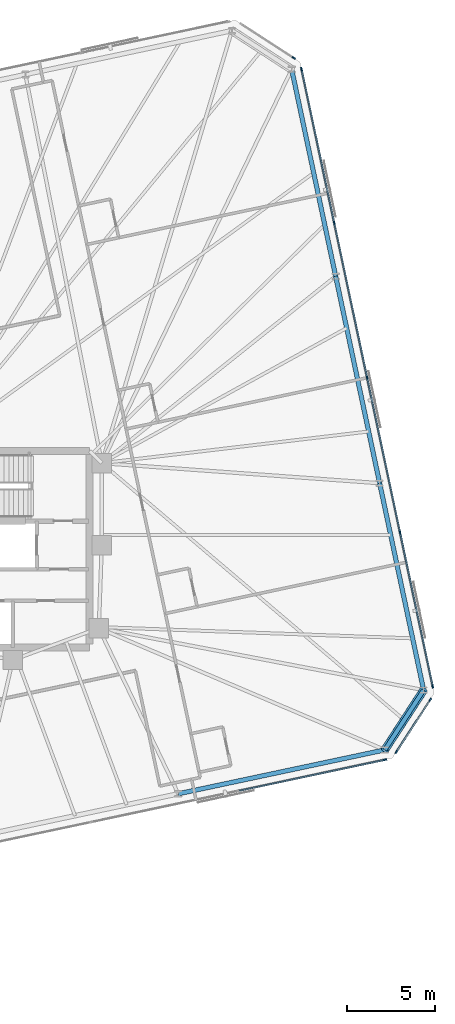
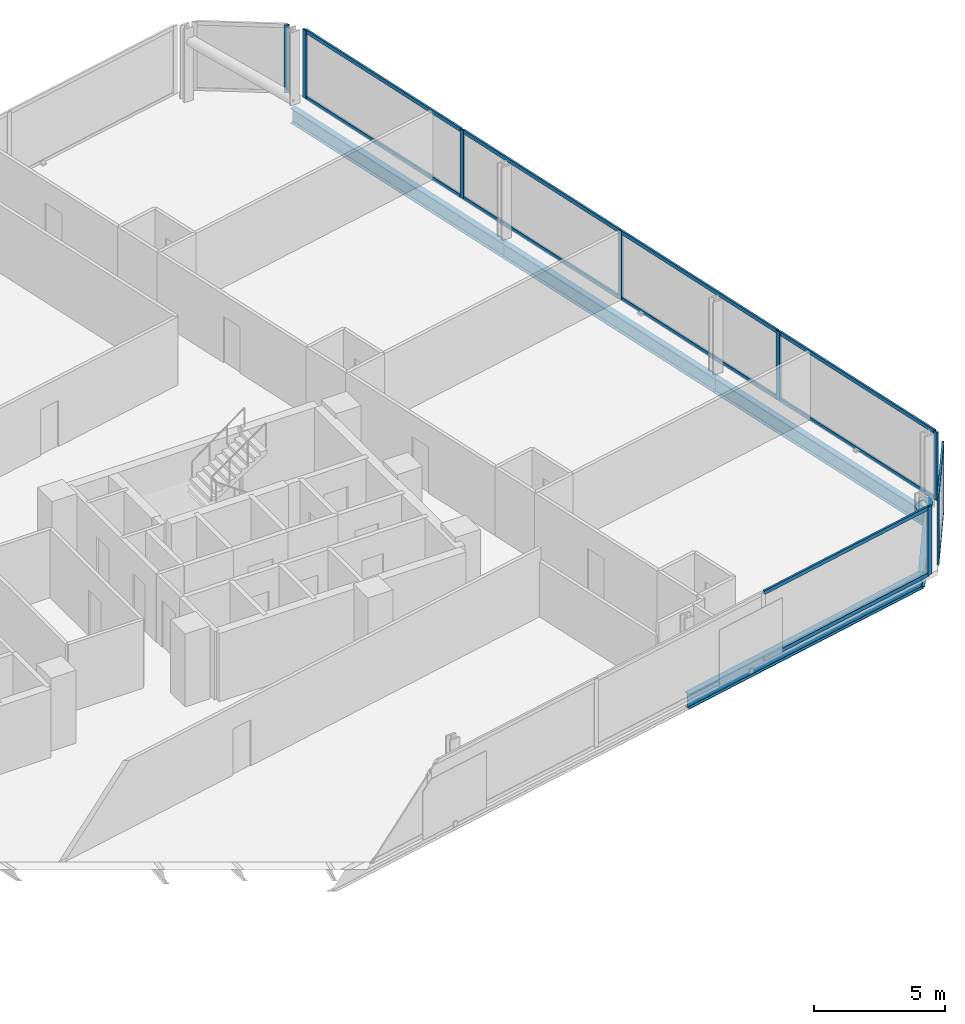
# One storey, part 12 of 19: 22 members, 5 beams, 4 elements without a shape of their own.
"""IFC4 building model written with IfcOpenShell, lengths in metres."""

from ifc_helpers import new_model, si_unit, direction, frame, origin, origin_2d, place, context, subcontext, project, spatial, rectangle, hollow_circle, i_section, extrude, material, material_profile, profile_set, type_object, element, aggregate, save


model = new_model("IFC4")

# Units and contexts
model_context = context("Model", 3, precision=1e-05, world=origin(), true_north=direction((0.0, 1.0)))
body_context = subcontext(model_context, "Body", "Model", "MODEL_VIEW")
ifc_project = project(units=[si_unit("LENGTHUNIT", "METRE"), si_unit("AREAUNIT", "SQUARE_METRE"), si_unit("VOLUMEUNIT", "CUBIC_METRE"), si_unit("PLANEANGLEUNIT", "RADIAN"), si_unit("MASSUNIT", "GRAM", prefix="KILO")], contexts=[model_context])

# Site, building, storey
site_placement = place(None, origin())
site = spatial("IfcSite", under=ifc_project, at=site_placement, CompositionType="ELEMENT")
building_placement = place(site_placement, origin())
building = spatial("IfcBuilding", under=site, at=building_placement, Name="Menara Jurai Vektor", CompositionType="ELEMENT")
storey_placement = place(building_placement, frame((0.0, 0.0, 192.199951171875)))
storey = spatial("IfcBuildingStorey", under=building, at=storey_placement, Name="L50", CompositionType="ELEMENT", Elevation=192.199951171875)

# Curtain wall, member
ifc_material_1 = material(Name="Anodised Pale Aluminium & Low-E Double Glazing", Category="aluminium")
curtain_wall_type = type_object("IfcCurtainWallType", Name="CW-BLK3", PredefinedType="NOTDEFINED", material=ifc_material_1)
curtain_wall_1_placement = place(storey_placement, origin())
curtain_wall_1 = element("IfcCurtainWall", 1, at=curtain_wall_1_placement, inside=storey, type_object=curtain_wall_type, Name="Unitised Curtain Wall L50 F01", PredefinedType="NOTDEFINED")
ifc_material_2 = material(Name="Anodised Pale Aluminium Mullion", Category="aluminium")
ifc_material_profile_1 = material_profile(ifc_material_2, rectangle(XDim=0.0849609375, YDim=0.205078125, at=origin_2d()), Name="ALU MUL 85x205")
ifc_profile_set_1 = profile_set([ifc_material_profile_1], Name="Anodised Pale Aluminium Mullion")
member_type_1 = type_object("IfcMemberType", Name="CW-BLK3-MUL", PredefinedType="MULLION", material=ifc_profile_set_1)
member_1_placement = place(storey_placement, frame((31.392578125, -11.99755859375, 0.0), z_axis=(0.0, 0.0, 1.0), x_axis=(-0.207911344156, 0.978147674419, 0.0)))
member_1 = element("IfcMember", 2, at=member_1_placement, type_object=member_type_1, Name="CW-03 mullion 8", PredefinedType="MULLION", context=body_context, shape_type="SweptSolid", body=[
    extrude(rectangle(XDim=0.0849609375, YDim=0.205078125, at=origin_2d()), origin(), (0.0, 0.0, 1.0), 3.175048828125),
])

# Curtain wall, members
curtain_wall_2_placement = place(storey_placement, origin())
curtain_wall_2 = element("IfcCurtainWall", 3, at=curtain_wall_2_placement, inside=storey, type_object=curtain_wall_type, Name="Unitised Curtain Wall L50 F02", PredefinedType="NOTDEFINED")
member_2_placement = place(storey_placement, frame((32.035888671875, -11.555419921875, 0.0), z_axis=(0.0, 0.0, 1.0), x_axis=(-0.838684361415, 0.544617794346, 0.0)))
member_2 = element("IfcMember", 4, at=member_2_placement, type_object=member_type_1, Name="CW-03 mullion 1", PredefinedType="MULLION", context=body_context, shape_type="SweptSolid", body=[
    extrude(rectangle(XDim=0.0849609375, YDim=0.205078125, at=origin_2d()), origin(), (0.0, 0.0, 1.0), 3.175048828125),
])
member_3_placement = place(storey_placement, frame((33.96337890625, -8.587158203125, 0.0), z_axis=(0.0, 0.0, 1.0), x_axis=(-0.838684361415, 0.544617794346, 0.0)))
member_3 = element("IfcMember", 5, at=member_3_placement, type_object=member_type_1, Name="CW-03 mullion 2", PredefinedType="MULLION", context=body_context, shape_type="SweptSolid", body=[
    extrude(rectangle(XDim=0.0849609375, YDim=0.205078125, at=origin_2d()), origin(), (0.0, 0.0, 1.0), 3.175048828125),
])

curtain_wall_3_placement = place(storey_placement, origin())
curtain_wall_3 = element("IfcCurtainWall", 6, at=curtain_wall_3_placement, inside=storey, type_object=curtain_wall_type, Name="Unitised Curtain Wall L50 F03", PredefinedType="NOTDEFINED")
member_4_placement = place(storey_placement, frame((34.105712890625, -7.819580078125, 0.0), z_axis=(0.0, 0.0, 1.0), x_axis=(-0.978147883949, -0.20791035839, 0.0)))
member_4 = element("IfcMember", 7, at=member_4_placement, type_object=member_type_1, Name="CW-03 mullion 1", PredefinedType="MULLION", context=body_context, shape_type="SweptSolid", body=[
    extrude(rectangle(XDim=0.0849609375, YDim=0.205078125, at=origin_2d()), origin(), (0.0, 0.0, 1.0), 3.175048828125),
])
member_5_placement = place(storey_placement, frame((32.2412109375, 0.951904296875, 0.0), z_axis=(0.0, 0.0, 1.0), x_axis=(-0.978147883949, -0.20791035839, 0.0)))
member_5 = element("IfcMember", 8, at=member_5_placement, type_object=member_type_1, Name="CW-03 mullion 2", PredefinedType="MULLION", context=body_context, shape_type="SweptSolid", body=[
    extrude(rectangle(XDim=0.0849609375, YDim=0.205078125, at=origin_2d()), origin(), (0.0, 0.0, 1.0), 3.175048828125),
])
member_6_placement = place(storey_placement, frame((30.367919921875, 9.76513671875, 0.0), z_axis=(0.0, 0.0, 1.0), x_axis=(-0.978147883949, -0.20791035839, 0.0)))
member_6 = element("IfcMember", 9, at=member_6_placement, type_object=member_type_1, Name="CW-03 mullion 3", PredefinedType="MULLION", context=body_context, shape_type="SweptSolid", body=[
    extrude(rectangle(XDim=0.0849609375, YDim=0.205078125, at=origin_2d()), origin(), (0.0, 0.0, 1.0), 3.175048828125),
])
member_7_placement = place(storey_placement, frame((28.49462890625, 18.578125, 0.0), z_axis=(0.0, 0.0, 1.0), x_axis=(-0.978147883949, -0.20791035839, 0.0)))
member_7 = element("IfcMember", 10, at=member_7_placement, type_object=member_type_1, Name="CW-03 mullion 4", PredefinedType="MULLION", context=body_context, shape_type="SweptSolid", body=[
    extrude(rectangle(XDim=0.0849609375, YDim=0.205078125, at=origin_2d()), origin(), (0.0, 0.0, 1.0), 3.175048828125),
])
member_8_placement = place(storey_placement, frame((26.630126953125, 27.349609375, 0.0), z_axis=(0.0, 0.0, 1.0), x_axis=(-0.978147883949, -0.20791035839, 0.0)))
member_8 = element("IfcMember", 11, at=member_8_placement, type_object=member_type_1, Name="CW-03 mullion 5", PredefinedType="MULLION", context=body_context, shape_type="SweptSolid", body=[
    extrude(rectangle(XDim=0.0849609375, YDim=0.205078125, at=origin_2d()), origin(), (0.0, 0.0, 1.0), 3.175048828125),
])

# Curtain wall, member
curtain_wall_4_placement = place(storey_placement, origin())
curtain_wall_4 = element("IfcCurtainWall", 12, at=curtain_wall_4_placement, inside=storey, type_object=curtain_wall_type, Name="Unitised Curtain Wall L50 F04", PredefinedType="NOTDEFINED")
member_9_placement = place(storey_placement, frame((26.18798828125, 27.9931640625, 0.0), z_axis=(0.0, 0.0, 1.0), x_axis=(-0.544617794346, -0.838684361415, 0.0)))
member_9 = element("IfcMember", 13, at=member_9_placement, type_object=member_type_1, Name="CW-03 mullion 1", PredefinedType="MULLION", context=body_context, shape_type="SweptSolid", body=[
    extrude(rectangle(XDim=0.0849609375, YDim=0.205078125, at=origin_2d()), origin(), (0.0, 0.0, 1.0), 3.175048828125),
])
aggregate(curtain_wall_4, [member_9])

# Member
ifc_material_3 = material(Name="Anodised Pale Aluminium Transom", Category="aluminium")
ifc_material_profile_2 = material_profile(ifc_material_3, rectangle(XDim=0.0849609375, YDim=0.175048828125, at=origin_2d()), Name="ALU TRN 85x175")
ifc_profile_set_2 = profile_set([ifc_material_profile_2], Name="Anodised Pale Aluminium Transom")
member_type_2 = type_object("IfcMemberType", Name="CW-BLK3-TRN", PredefinedType="USERDEFINED", material=ifc_profile_set_2)
member_10_placement = place(storey_placement, frame((23.0859375, -13.76318359375, 0.04248046875), z_axis=(0.978146953428, 0.207914736128, 0.0), x_axis=(-0.207914736128, 0.978146953428, 0.0)))
member_10 = element("IfcMember", 14, at=member_10_placement, type_object=member_type_2, Name="CW-03 transom 7.1", ObjectType="TRANSOM", PredefinedType="USERDEFINED", context=body_context, shape_type="SweptSolid", body=[
    extrude(rectangle(XDim=0.0849609375, YDim=0.175048828125, at=origin_2d()), origin(), (0.0, 0.0, 1.0), 8.44970703125),
])

member_11_placement = place(storey_placement, frame((23.0859375, -13.76318359375, 3.132568359375), z_axis=(0.978146953428, 0.207914736128, 0.0), x_axis=(-0.207914736128, 0.978146953428, 0.0)))
member_11 = element("IfcMember", 15, at=member_11_placement, type_object=member_type_2, Name="CW-03 transom 7.2", ObjectType="TRANSOM", PredefinedType="USERDEFINED", context=body_context, shape_type="SweptSolid", body=[
    extrude(rectangle(XDim=0.0849609375, YDim=0.175048828125, at=origin_2d()), origin(), (0.0, 0.0, 1.0), 8.44970703125),
])

aggregate(curtain_wall_1, [member_1, member_10, member_11])

member_12_placement = place(storey_placement, frame((32.05908203125, -11.519775390625, 0.04248046875), z_axis=(0.54459575764, 0.838698671014, 0.0), x_axis=(-0.838698671014, 0.54459575764, 0.0)))
member_12 = element("IfcMember", 16, at=member_12_placement, type_object=member_type_2, Name="CW-03 transom 1.1", ObjectType="TRANSOM", PredefinedType="USERDEFINED", context=body_context, shape_type="SweptSolid", body=[
    extrude(rectangle(XDim=0.0849609375, YDim=0.175048828125, at=origin_2d()), origin(), (0.0, 0.0, 1.0), 3.4541015625),
])

member_13_placement = place(storey_placement, frame((32.05908203125, -11.519775390625, 3.132568359375), z_axis=(0.54459575764, 0.838698671014, 0.0), x_axis=(-0.838698671014, 0.54459575764, 0.0)))
member_13 = element("IfcMember", 17, at=member_13_placement, type_object=member_type_2, Name="CW-03 transom 1.2", ObjectType="TRANSOM", PredefinedType="USERDEFINED", context=body_context, shape_type="SweptSolid", body=[
    extrude(rectangle(XDim=0.0849609375, YDim=0.175048828125, at=origin_2d()), origin(), (0.0, 0.0, 1.0), 3.4541015625),
])

aggregate(curtain_wall_2, [member_2, member_3, member_12, member_13])

member_14_placement = place(storey_placement, frame((34.096923828125, -7.778076171875, 0.04248046875), z_axis=(-0.207925814542, 0.978144598537, 0.0), x_axis=(-0.978144598537, -0.207925814542, 0.0)))
member_14 = element("IfcMember", 18, at=member_14_placement, type_object=member_type_2, Name="CW-03 transom 1.1", ObjectType="TRANSOM", PredefinedType="USERDEFINED", context=body_context, shape_type="SweptSolid", body=[
    extrude(rectangle(XDim=0.0849609375, YDim=0.175048828125, at=origin_2d()), origin(), (0.0, 0.0, 1.0), 8.882568359375),
])

member_15_placement = place(storey_placement, frame((34.096923828125, -7.778076171875, 3.132568359375), z_axis=(-0.207925814542, 0.978144598537, 0.0), x_axis=(-0.978144598537, -0.207925814542, 0.0)))
member_15 = element("IfcMember", 19, at=member_15_placement, type_object=member_type_2, Name="CW-03 transom 1.2", ObjectType="TRANSOM", PredefinedType="USERDEFINED", context=body_context, shape_type="SweptSolid", body=[
    extrude(rectangle(XDim=0.0849609375, YDim=0.175048828125, at=origin_2d()), origin(), (0.0, 0.0, 1.0), 8.882568359375),
])

member_16_placement = place(storey_placement, frame((32.232421875, 0.993408203125, 0.04248046875), z_axis=(-0.207922224243, 0.978145361726, 0.0), x_axis=(-0.978145361726, -0.207922224243, 0.0)))
member_16 = element("IfcMember", 20, at=member_16_placement, type_object=member_type_2, Name="CW-03 transom 2.1", ObjectType="TRANSOM", PredefinedType="USERDEFINED", context=body_context, shape_type="SweptSolid", body=[
    extrude(rectangle(XDim=0.0849609375, YDim=0.175048828125, at=origin_2d()), origin(), (0.0, 0.0, 1.0), 8.925048828125),
])

member_17_placement = place(storey_placement, frame((32.232421875, 0.993408203125, 3.132568359375), z_axis=(-0.207922224243, 0.978145361726, 0.0), x_axis=(-0.978145361726, -0.207922224243, 0.0)))
member_17 = element("IfcMember", 21, at=member_17_placement, type_object=member_type_2, Name="CW-03 transom 2.2", ObjectType="TRANSOM", PredefinedType="USERDEFINED", context=body_context, shape_type="SweptSolid", body=[
    extrude(rectangle(XDim=0.0849609375, YDim=0.175048828125, at=origin_2d()), origin(), (0.0, 0.0, 1.0), 8.925048828125),
])

member_18_placement = place(storey_placement, frame((30.359130859375, 9.806640625, 0.04248046875), z_axis=(-0.207922224243, 0.978145361726, 0.0), x_axis=(-0.978145361726, -0.207922224243, 0.0)))
member_18 = element("IfcMember", 22, at=member_18_placement, type_object=member_type_2, Name="CW-03 transom 3.1", ObjectType="TRANSOM", PredefinedType="USERDEFINED", context=body_context, shape_type="SweptSolid", body=[
    extrude(rectangle(XDim=0.0849609375, YDim=0.175048828125, at=origin_2d()), origin(), (0.0, 0.0, 1.0), 8.925048828125),
])

member_19_placement = place(storey_placement, frame((30.359130859375, 9.806640625, 3.132568359375), z_axis=(-0.207922224243, 0.978145361726, 0.0), x_axis=(-0.978145361726, -0.207922224243, 0.0)))
member_19 = element("IfcMember", 23, at=member_19_placement, type_object=member_type_2, Name="CW-03 transom 3.2", ObjectType="TRANSOM", PredefinedType="USERDEFINED", context=body_context, shape_type="SweptSolid", body=[
    extrude(rectangle(XDim=0.0849609375, YDim=0.175048828125, at=origin_2d()), origin(), (0.0, 0.0, 1.0), 8.925048828125),
])

member_20_placement = place(storey_placement, frame((28.48583984375, 18.61962890625, 0.04248046875), z_axis=(-0.207899517354, 0.978150188204, 0.0), x_axis=(-0.978150188204, -0.207899517354, 0.0)))
member_20 = element("IfcMember", 24, at=member_20_placement, type_object=member_type_2, Name="CW-03 transom 4.1", ObjectType="TRANSOM", PredefinedType="USERDEFINED", context=body_context, shape_type="SweptSolid", body=[
    extrude(rectangle(XDim=0.0849609375, YDim=0.175048828125, at=origin_2d()), origin(), (0.0, 0.0, 1.0), 8.882568359375),
])

member_21_placement = place(storey_placement, frame((28.48583984375, 18.61962890625, 3.132568359375), z_axis=(-0.207899517354, 0.978150188204, 0.0), x_axis=(-0.978150188204, -0.207899517354, 0.0)))
member_21 = element("IfcMember", 25, at=member_21_placement, type_object=member_type_2, Name="CW-03 transom 4.2", ObjectType="TRANSOM", PredefinedType="USERDEFINED", context=body_context, shape_type="SweptSolid", body=[
    extrude(rectangle(XDim=0.0849609375, YDim=0.175048828125, at=origin_2d()), origin(), (0.0, 0.0, 1.0), 8.882568359375),
])

aggregate(curtain_wall_3, [member_4, member_5, member_6, member_7, member_8, member_14, member_15, member_16, member_17, member_18, member_19, member_20, member_21])

ifc_material_4 = material(Name="Steel S460", Category="steel")
ifc_material_profile_3 = material_profile(ifc_material_4, hollow_circle(Radius=0.228515625, WallThickness=0.01611328125, at=origin_2d()), Name="CHS 457x16")
ifc_profile_set_3 = profile_set([ifc_material_profile_3], Name="Steel S460")
member_type_3 = type_object("IfcMemberType", Name="STR-BR-457", PredefinedType="BRACE", material=ifc_profile_set_3)
member_22_placement = place(storey_placement, frame((33.588623046875, -8.031982421875, 0.150146484375), z_axis=(-0.454884431691, -0.700447733372, 0.549957386185), x_axis=(0.838665998507, -0.544646071268, 0.0)))
element("IfcMember", 26, at=member_22_placement, inside=storey, type_object=member_type_3, Name="Exoskeleton Corner Brace L50-1", PredefinedType="BRACE", context=body_context, shape_type="SweptSolid", body=[
    extrude(hollow_circle(Radius=0.228515625, WallThickness=0.01611328125, at=origin_2d()), origin(), (0.0, 0.0, 1.0), 4.86376953125),
])

# Beams
ifc_material_profile_4 = material_profile(ifc_material_4, i_section(OverallWidth=0.256103515625, OverallDepth=0.693115234375, WebThickness=0.013916015625, FlangeThickness=0.02392578125, FilletRadius=0.014892578125, at=origin_2d()), Name="UKB 686x254x170")
ifc_profile_set_4 = profile_set([ifc_material_profile_4], Name="Steel S460")
beam_type = type_object("IfcBeamType", Name="STR-SP-686", PredefinedType="SPANDREL", material=ifc_profile_set_4)
beam_1_placement = place(storey_placement, frame((19.608154296875, -13.940185546875, -0.571533203125), z_axis=(0.97814616202, 0.207918459318, 0.0), x_axis=(-0.207918459318, 0.97814616202, 0.0)))
element("IfcBeam", 27, at=beam_1_placement, inside=storey, type_object=beam_type, Name="Exoskeleton Spandrel Beam L50-05", PredefinedType="SPANDREL", context=body_context, shape_type="SweptSolid", body=[
    extrude(i_section(OverallWidth=0.256103515625, OverallDepth=0.693115234375, WebThickness=0.013916015625, FlangeThickness=0.02392578125, FilletRadius=0.014892578125, at=origin_2d()), origin(), (0.0, 0.0, 1.0), 12.031005859375),
])
beam_2_placement = place(storey_placement, frame((31.376220703125, -11.438720703125, -0.571533203125), z_axis=(0.544646071268, 0.838665998507, 0.0), x_axis=(-0.838665998507, 0.544646071268, 0.0)))
element("IfcBeam", 28, at=beam_2_placement, inside=storey, type_object=beam_type, Name="Exoskeleton Spandrel Beam L50-06", PredefinedType="SPANDREL", context=body_context, shape_type="SweptSolid", body=[
    extrude(i_section(OverallWidth=0.256103515625, OverallDepth=0.693115234375, WebThickness=0.013916015625, FlangeThickness=0.02392578125, FilletRadius=0.014892578125, at=origin_2d()), origin(), (0.0, 0.0, 1.0), 4.06201171875),
])
beam_3_placement = place(storey_placement, frame((33.588623046875, -8.031982421875, -0.571533203125), z_axis=(-0.207925382659, 0.978144690343, 0.0), x_axis=(-0.978144690343, -0.207925382659, 0.0)))
element("IfcBeam", 29, at=beam_3_placement, inside=storey, type_object=beam_type, Name="Exoskeleton Spandrel Beam L50-07", PredefinedType="SPANDREL", context=body_context, shape_type="SweptSolid", body=[
    extrude(i_section(OverallWidth=0.256103515625, OverallDepth=0.693115234375, WebThickness=0.013916015625, FlangeThickness=0.02392578125, FilletRadius=0.014892578125, at=origin_2d()), origin(), (0.0, 0.0, 1.0), 12.0517578125),
])
for number, where, z_axis, x_axis, name in (
    (30, (31.082763671875, 3.75634765625, -0.571533203125), (-0.207901880993, 0.978149685825, 0.0), (-0.978149685825, -0.207901880993, 0.0), "Exoskeleton Spandrel Beam L50-08"),
    (31, (28.5771484375, 15.544921875, -0.571533203125), (-0.207921262698, 0.978145566119, 0.0), (-0.978145566119, -0.207921262698, 0.0), "Exoskeleton Spandrel Beam L50-09"),
):
    element("IfcBeam", number, at=place(storey_placement, frame(where, z_axis=z_axis, x_axis=x_axis)), inside=storey, type_object=beam_type, Name=name, PredefinedType="SPANDREL", context=body_context, shape_type="SweptSolid", body=[
        extrude(i_section(OverallWidth=0.256103515625, OverallDepth=0.693115234375, WebThickness=0.013916015625, FlangeThickness=0.02392578125, FilletRadius=0.014892578125, at=origin_2d()), origin(), (0.0, 0.0, 1.0), 12.052001953125),
    ])

save(model, "model.ifc")
